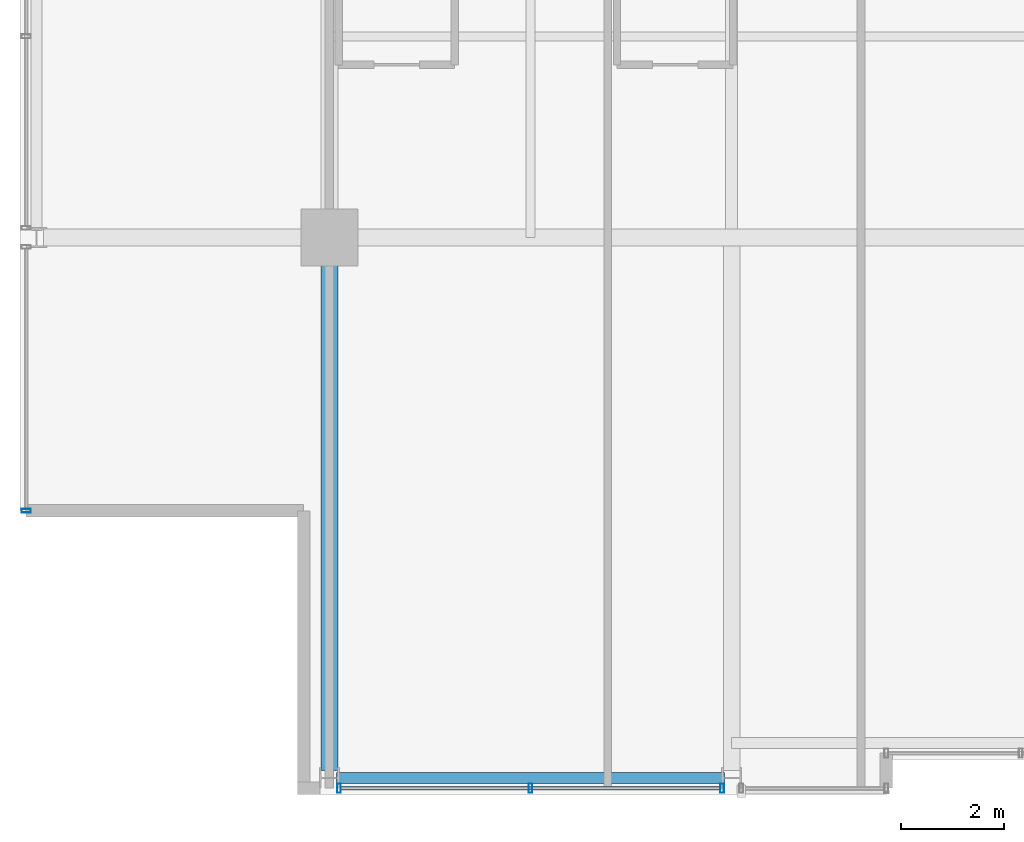
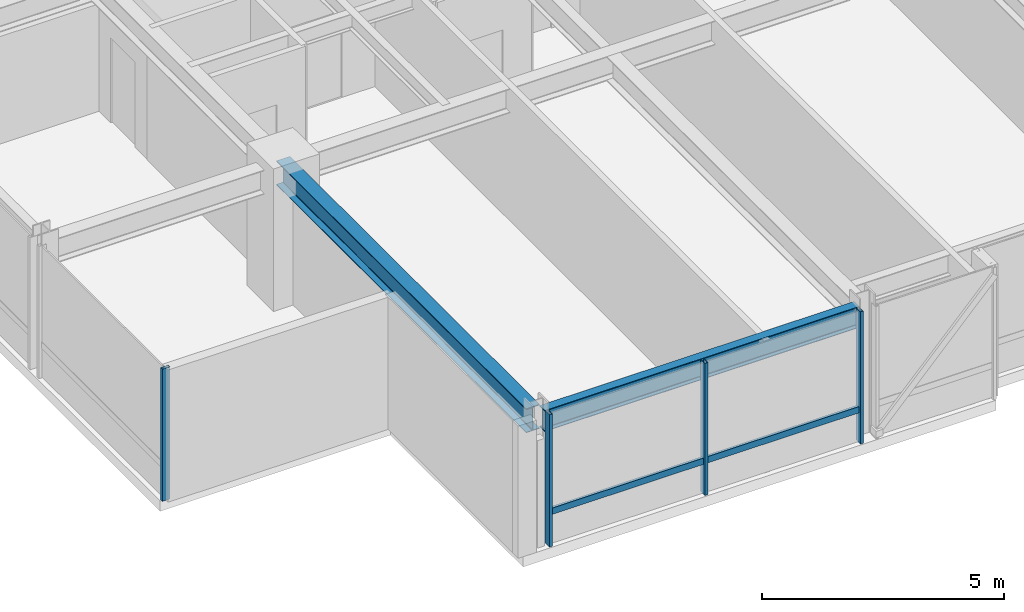
# One storey, part 2 of 34: 5 members, 2 beams, 2 elements without a shape of their own.
"""IFC4 building model written with IfcOpenShell, lengths in metres."""

from ifc_helpers import new_model, si_unit, direction, frame, origin, origin_2d, place, context, subcontext, project, spatial, hollow_rectangle, i_section, extrude, material, layer, layer_set, material_profile, profile_set, type_object, element, aggregate, save


model = new_model("IFC4")

# Units and contexts
model_context = context("Model", 3, precision=1e-05, world=origin(), true_north=direction((0.0, 1.0)))
body_context = subcontext(model_context, "Body", "Model", "MODEL_VIEW")
ifc_project = project(units=[si_unit("LENGTHUNIT", "METRE"), si_unit("AREAUNIT", "SQUARE_METRE"), si_unit("VOLUMEUNIT", "CUBIC_METRE"), si_unit("PLANEANGLEUNIT", "RADIAN"), si_unit("MASSUNIT", "GRAM", prefix="KILO")], contexts=[model_context])

# Site, building, storey
site_placement = place(None, origin())
site = spatial("IfcSite", under=ifc_project, at=site_placement, CompositionType="ELEMENT")
building_placement = place(site_placement, origin())
building = spatial("IfcBuilding", under=site, at=building_placement, Name="Drelvath Grand Hotel", CompositionType="ELEMENT")
storey_placement = place(building_placement, frame((0.0, 0.0, 208.699951171875)))
storey = spatial("IfcBuildingStorey", under=building, at=storey_placement, Name="L54", CompositionType="ELEMENT", Elevation=208.699951171875)

# Curtain wall, member
ifc_material_1 = material(Name="Platinum-Mist Anodised Aluminium Frame", Category="aluminium")
ifc_layer = layer(ifc_material_1, 0.199951171875)
ifc_layer_set = layer_set([ifc_layer], Name="Platinum-Mist Anodised Aluminium Frame")
curtain_wall_type = type_object("IfcCurtainWallType", Name="Stick Curtain Wall CW-05 Platinum Mist High-Rise", PredefinedType="NOTDEFINED", material=ifc_layer_set)
curtain_wall_1_placement = place(storey_placement, origin())
curtain_wall_1 = element("IfcCurtainWall", 1, at=curtain_wall_1_placement, inside=storey, type_object=curtain_wall_type, Name="L54 CW-05 Curtain Wall CW05-L54-SW2", PredefinedType="NOTDEFINED")
ifc_material_profile_1 = material_profile(ifc_material_1, hollow_rectangle(XDim=0.06494140625, YDim=0.159912109375, WallThickness=0.00390625, at=origin_2d()), Name="HSS160X65X4")
ifc_profile_set_1 = profile_set([ifc_material_profile_1], Name="Platinum-Mist Anodised Aluminium Frame")
member_type_1 = type_object("IfcMemberType", Name="Curtain Wall Horizontal Transom CW-05 HSS160X65X4", PredefinedType="USERDEFINED", material=ifc_profile_set_1)
member_1_placement = place(storey_placement, frame((-8.625244140625, 0.1201171875, 0.8349609375), z_axis=(-1.0, 0.0, 0.0), x_axis=(0.0, -1.0, 0.0)))
member_1 = element("IfcMember", 2, at=member_1_placement, type_object=member_type_1, Name="CW05-L54-SW2 Sill Transom", ObjectType="TRANSOM", PredefinedType="USERDEFINED", context=body_context, shape_type="SweptSolid", body=[
    extrude(hollow_rectangle(XDim=0.06494140625, YDim=0.159912109375, WallThickness=0.00390625, at=origin_2d()), origin(), (0.0, 0.0, 1.0), 7.349365234375),
])

curtain_wall_2_placement = place(storey_placement, origin())
curtain_wall_2 = element("IfcCurtainWall", 3, at=curtain_wall_2_placement, inside=storey, type_object=curtain_wall_type, Name="L54 CW-05 Curtain Wall CW05-L54-WS1", PredefinedType="NOTDEFINED")
ifc_material_profile_2 = material_profile(ifc_material_1, hollow_rectangle(XDim=0.074951171875, YDim=0.179931640625, WallThickness=0.0048828125, at=origin_2d()), Name="HSS180X75X5")
ifc_profile_set_2 = profile_set([ifc_material_profile_2], Name="Platinum-Mist Anodised Aluminium Frame")
member_type_2 = type_object("IfcMemberType", Name="Curtain Wall Vertical Mullion CW-05 HSS180X75X5", PredefinedType="MULLION", material=ifc_profile_set_2)
member_2_placement = place(storey_placement, frame((-22.080078125, 5.5, 0.0), z_axis=(0.0, 0.0, 1.0), x_axis=(0.0, 1.0, 0.0)))
member_2 = element("IfcMember", 4, at=member_2_placement, type_object=member_type_2, Name="CW05-L54-WS1 Mullion 1", PredefinedType="MULLION", context=body_context, shape_type="SweptSolid", body=[
    extrude(hollow_rectangle(XDim=0.074951171875, YDim=0.179931640625, WallThickness=0.0048828125, at=origin_2d()), origin(), (0.0, 0.0, 1.0), 3.340087890625),
])
aggregate(curtain_wall_2, [member_2])

# Member
member_3_placement = place(storey_placement, frame((-8.585205078125, 0.1201171875, 0.0), z_axis=(0.0, 0.0, 1.0), x_axis=(1.0, 0.0, 0.0)))
member_3 = element("IfcMember", 5, at=member_3_placement, type_object=member_type_2, Name="CW05-L54-SW2 Mullion 1", PredefinedType="MULLION", context=body_context, shape_type="SweptSolid", body=[
    extrude(hollow_rectangle(XDim=0.074951171875, YDim=0.179931640625, WallThickness=0.0048828125, at=origin_2d()), origin(), (0.0, 0.0, 1.0), 3.340087890625),
])

member_4_placement = place(storey_placement, frame((-12.300048828125, 0.1201171875, 0.0), z_axis=(0.0, 0.0, 1.0), x_axis=(1.0, 0.0, 0.0)))
member_4 = element("IfcMember", 6, at=member_4_placement, type_object=member_type_2, Name="CW05-L54-SW2 Mullion 2", PredefinedType="MULLION", context=body_context, shape_type="SweptSolid", body=[
    extrude(hollow_rectangle(XDim=0.074951171875, YDim=0.179931640625, WallThickness=0.0048828125, at=origin_2d()), origin(), (0.0, 0.0, 1.0), 3.340087890625),
])

member_5_placement = place(storey_placement, frame((-16.0146484375, 0.1201171875, 0.0), z_axis=(0.0, 0.0, 1.0), x_axis=(1.0, 0.0, 0.0)))
member_5 = element("IfcMember", 7, at=member_5_placement, type_object=member_type_2, Name="CW05-L54-SW2 Mullion 3", PredefinedType="MULLION", context=body_context, shape_type="SweptSolid", body=[
    extrude(hollow_rectangle(XDim=0.074951171875, YDim=0.179931640625, WallThickness=0.0048828125, at=origin_2d()), origin(), (0.0, 0.0, 1.0), 3.340087890625),
])

aggregate(curtain_wall_1, [member_3, member_4, member_5, member_1])

# Beams
ifc_material_2 = material(Name="Steel ASTM A992 Gr 50", Category="steel")
ifc_material_profile_3 = material_profile(ifc_material_2, i_section(OverallWidth=0.210205078125, OverallDepth=0.53662109375, WebThickness=0.010986328125, FlangeThickness=0.017333984375, FilletRadius=0.01806640625, at=origin_2d()), Name="W21X68")
ifc_profile_set_3 = profile_set([ifc_material_profile_3], Name="Steel ASTM A992 Gr 50")
beam_type_1 = type_object("IfcBeamType", Name="Perimeter Spandrel Beam W21X68", PredefinedType="SPANDREL", material=ifc_profile_set_3)
beam_1_placement = place(storey_placement, frame((-16.06005859375, 0.320068359375, 3.071533203125), z_axis=(1.0, 0.0, 0.0), x_axis=(0.0, 1.0, 0.0)))
element("IfcBeam", 8, at=beam_1_placement, inside=storey, type_object=beam_type_1, Name="L54 Spandrel South W", PredefinedType="SPANDREL", context=body_context, shape_type="SweptSolid", body=[
    extrude(i_section(OverallWidth=0.210205078125, OverallDepth=0.53662109375, WebThickness=0.010986328125, FlangeThickness=0.017333984375, FilletRadius=0.01806640625, at=origin_2d()), origin(), (0.0, 0.0, 1.0), 7.52001953125),
])
ifc_material_profile_4 = material_profile(ifc_material_2, i_section(OverallWidth=0.323974609375, OverallDepth=0.611083984375, WebThickness=0.0126953125, FlangeThickness=0.01904296875, FilletRadius=0.02197265625, at=origin_2d()), Name="W24X104")
ifc_profile_set_4 = profile_set([ifc_material_profile_4], Name="Steel ASTM A992 Gr 50")
beam_type_2 = type_object("IfcBeamType", Name="Primary Floor Girder W24X104", PredefinedType="BEAM", material=ifc_profile_set_4)
beam_2_placement = place(storey_placement, frame((-16.199951171875, 0.4599609375, 3.034423828125), z_axis=(0.0, 1.0, 0.0), x_axis=(-1.0, 0.0, 0.0)))
element("IfcBeam", 9, at=beam_2_placement, inside=storey, type_object=beam_type_2, Name="L54 South Grid Girder 3", PredefinedType="BEAM", context=body_context, shape_type="SweptSolid", body=[
    extrude(i_section(OverallWidth=0.323974609375, OverallDepth=0.611083984375, WebThickness=0.0126953125, FlangeThickness=0.01904296875, FilletRadius=0.02197265625, at=origin_2d()), origin(), (0.0, 0.0, 1.0), 10.340087890625),
])

save(model, "model.ifc")
